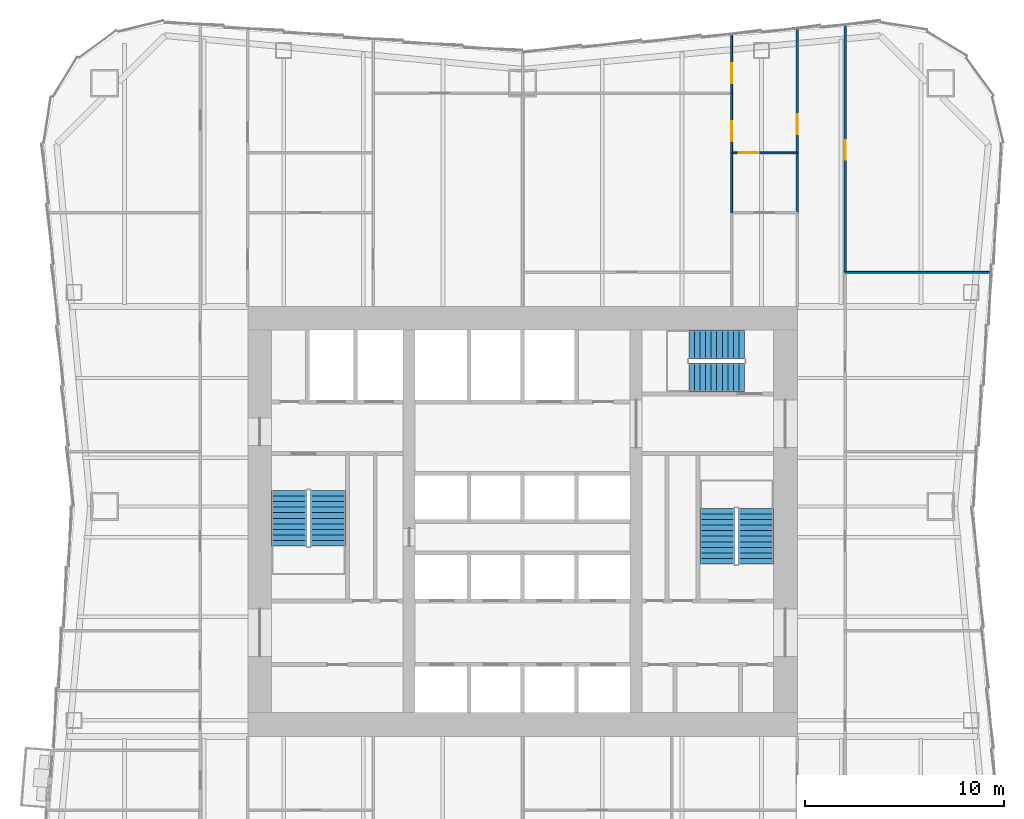
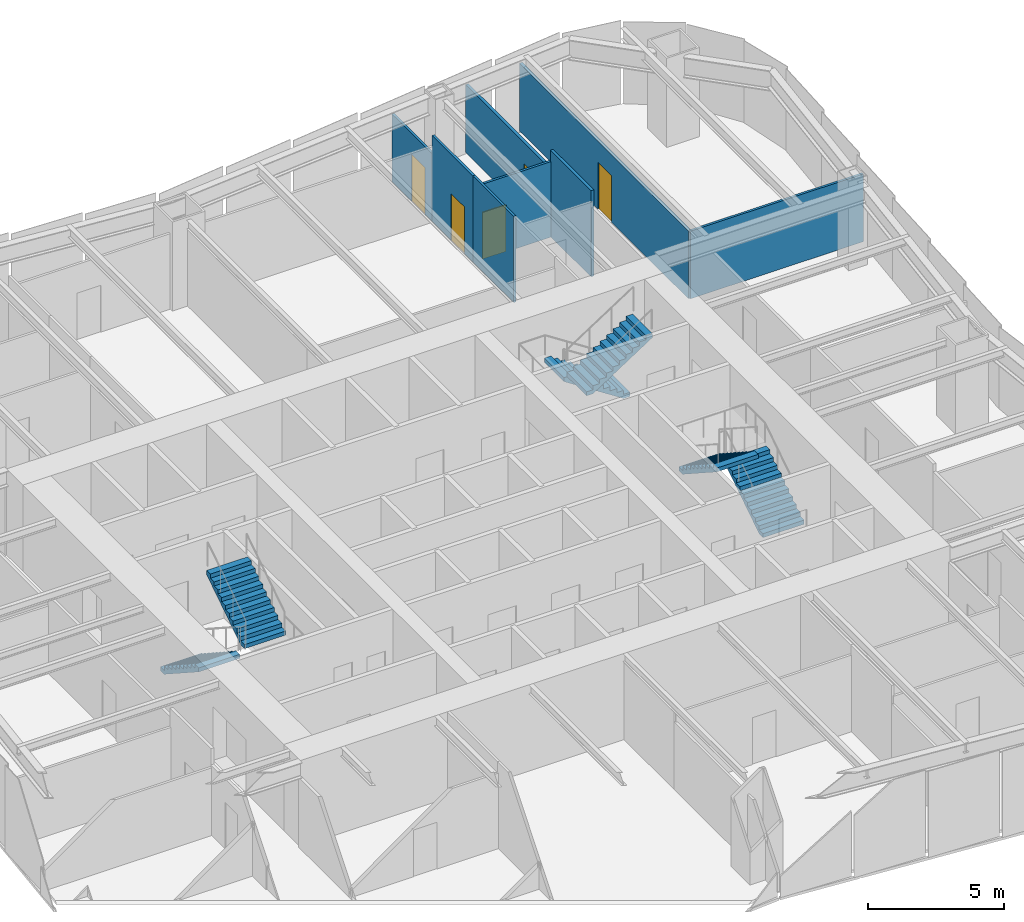
# One storey, part 7 of 9: 8 walls, 6 stair flights, 5 doors, 5 openings, 3 elements without a shape of their own.
"""IFC4 building model written with IfcOpenShell, lengths in metres."""

from ifc_helpers import new_model, si_unit, direction, frame, frame_2d, origin, place, context, subcontext, project, spatial, polyline, rectangle, outline, extrude, material, layer, layer_set, type_object, element, fill, aggregate, save


model = new_model("IFC4")

# Units and contexts
model_context = context("Model", 3, precision=1e-05, world=origin(), true_north=direction((0.0, 1.0)))
body_context = subcontext(model_context, "Body", "Model", "MODEL_VIEW")
ifc_project = project(units=[si_unit("LENGTHUNIT", "METRE"), si_unit("AREAUNIT", "SQUARE_METRE"), si_unit("VOLUMEUNIT", "CUBIC_METRE"), si_unit("PLANEANGLEUNIT", "RADIAN"), si_unit("MASSUNIT", "GRAM", prefix="KILO")], contexts=[model_context])

# Site, building, storey
site_placement = place(None, origin())
site = spatial("IfcSite", under=ifc_project, at=site_placement, CompositionType="ELEMENT")
building_placement = place(site_placement, origin())
building = spatial("IfcBuilding", under=site, at=building_placement, Name="Verdant Reach Tower", CompositionType="ELEMENT")
storey_placement = place(building_placement, frame((0.0, 0.0, 102.0)))
storey = spatial("IfcBuildingStorey", under=building, at=storey_placement, Name="L23", CompositionType="ELEMENT", Elevation=102.0)

# Wall
ifc_material_1 = material(Name="Gypsum board on steel studs", Category="steel")
ifc_layer_1 = layer(ifc_material_1, 0.10009765625)
ifc_layer_set_1 = layer_set([ifc_layer_1], Name="FL-W1 Partition 100")
wall_type_1 = type_object("IfcWallType", Name="FL-W1 Partition 100", PredefinedType="PARTITIONING", material=ifc_layer_set_1)
wall_1_placement = place(storey_placement, frame((23.5458984375, 40.5, 0.0), z_axis=(0.0, 0.0, 1.0), x_axis=(-1.0, 0.0, 0.0)))
element("IfcWall", 1, at=wall_1_placement, inside=storey, type_object=wall_type_1, Name="Partition 23.34", PredefinedType="PARTITIONING", context=body_context, shape_type="SweptSolid", body=[
    extrude(rectangle(XDim=7.345947265625, YDim=0.10009765625, at=frame_2d((3.6728515625, 0.0))), origin(), (0.0, 0.0, 1.0), 3.0400390625),
])

# Wall, opening, door
wall_2_placement = place(storey_placement, frame((13.800048828125, 46.5, 0.0), z_axis=(0.0, 0.0, 1.0), x_axis=(-1.0, 0.0, 0.0)))
wall_2 = element("IfcWall", 2, at=wall_2_placement, inside=storey, type_object=wall_type_1, Name="Partition 23.61", PredefinedType="PARTITIONING", context=body_context, shape_type="SweptSolid", body=[
    extrude(rectangle(XDim=3.300048828125, YDim=0.10009765625, at=frame_2d((1.64990234375, 0.0))), origin(), (0.0, 0.0, 1.0), 3.389892578125),
])
opening_1_placement = place(wall_2_placement, frame((1.949951171875, 0.0, 0.0)))
opening_1 = element("IfcOpeningElement", 3, at=opening_1_placement, cuts=wall_2, Name="Opening D3", PredefinedType="OPENING", context=body_context, shape_type="SweptSolid", body=[
    extrude(rectangle(XDim=1.0, YDim=2.10009765625, at=frame_2d((0.5, 1.050048828125))), frame((0.0, 0.06005859375, 0.0), z_axis=(0.0, -1.0, 0.0), x_axis=(1.0, 0.0, 0.0)), (0.0, 0.0, 1.0), 0.1201171875),
])
ifc_material_2 = material(Name="Painted timber door leaf", Category="wood")
door_type_1 = type_object("IfcDoorType", Name="FL-D3 Door 1000x2100", OperationType="NOTDEFINED", PredefinedType="DOOR", material=ifc_material_2)
door_1_placement = place(opening_1_placement, origin())
door_1 = element("IfcDoor", 4, at=door_1_placement, inside=storey, type_object=door_type_1, Name="Door 23-029", OperationType="SINGLE_SWING_RIGHT", OverallHeight=2.10009765625, OverallWidth=1.0, PredefinedType="DOOR", context=body_context, shape_type="SweptSolid", body=[
    extrude(rectangle(XDim=1.0, YDim=2.10009765625, at=frame_2d((0.5, 1.050048828125))), frame((0.0, 0.02490234375, 0.0), z_axis=(0.0, -1.0, 0.0), x_axis=(1.0, 0.0, 0.0)), (0.0, 0.0, 1.0), 0.050048828125),
])
fill(opening_1, door_1)

# Wall
wall_3_placement = place(storey_placement, frame((10.5, 46.50390625, 0.0), z_axis=(0.0, 0.0, 1.0), x_axis=(0.0, -1.0, 0.0)))
element("IfcWall", 5, at=wall_3_placement, inside=storey, type_object=wall_type_1, Name="Partition 23.62", PredefinedType="PARTITIONING", context=body_context, shape_type="SweptSolid", body=[
    extrude(rectangle(XDim=3.0078125, YDim=0.10009765625, at=frame_2d((1.50390625, 0.0))), origin(), (0.0, 0.0, 1.0), 3.8701171875),
])

# Wall, opening, door
wall_4_placement = place(storey_placement, frame((10.5, 46.49609375, 0.0), z_axis=(0.0, 0.0, 1.0), x_axis=(0.0, 1.0, 0.0)))
wall_4 = element("IfcWall", 6, at=wall_4_placement, inside=storey, type_object=wall_type_1, Name="Partition 23.63", PredefinedType="PARTITIONING", context=body_context, shape_type="SweptSolid", body=[
    extrude(rectangle(XDim=3.00390625, YDim=0.10009765625, at=frame_2d((1.501953125, 0.0))), origin(), (0.0, 0.0, 1.0), 3.8701171875),
])
opening_2_placement = place(wall_4_placement, frame((0.60205078125, 0.0, 0.0)))
opening_2 = element("IfcOpeningElement", 7, at=opening_2_placement, cuts=wall_4, Name="Opening D3", PredefinedType="OPENING", context=body_context, shape_type="SweptSolid", body=[
    extrude(rectangle(XDim=1.0, YDim=2.10009765625, at=frame_2d((0.5, 1.050048828125))), frame((0.0, 0.06005859375, 0.0), z_axis=(0.0, -1.0, 0.0), x_axis=(1.0, 0.0, 0.0)), (0.0, 0.0, 1.0), 0.1201171875),
])
door_2_placement = place(opening_2_placement, origin())
door_2 = element("IfcDoor", 8, at=door_2_placement, inside=storey, type_object=door_type_1, Name="Door 23-030", OperationType="SINGLE_SWING_LEFT", OverallHeight=2.10009765625, OverallWidth=1.0, PredefinedType="DOOR", context=body_context, shape_type="SweptSolid", body=[
    extrude(rectangle(XDim=1.0, YDim=2.10009765625, at=frame_2d((0.5, 1.050048828125))), frame((0.0, 0.02490234375, 0.0), z_axis=(0.0, -1.0, 0.0), x_axis=(1.0, 0.0, 0.0)), (0.0, 0.0, 1.0), 0.050048828125),
])
fill(opening_2, door_2)

wall_5_placement = place(storey_placement, frame((10.5, 49.5, 0.0), z_axis=(0.0, 0.0, 1.0), x_axis=(0.0, 1.0, 0.0)))
wall_5 = element("IfcWall", 9, at=wall_5_placement, inside=storey, type_object=wall_type_1, Name="Partition 23.64", PredefinedType="PARTITIONING", context=body_context, shape_type="SweptSolid", body=[
    extrude(rectangle(XDim=2.955078125, YDim=0.10009765625, at=frame_2d((1.4775390625, 0.0))), origin(), (0.0, 0.0, 1.0), 3.0400390625),
])
opening_3_placement = place(wall_5_placement, frame((0.512451171875, 0.0, 0.0)))
opening_3 = element("IfcOpeningElement", 10, at=opening_3_placement, cuts=wall_5, Name="Opening D3", PredefinedType="OPENING", context=body_context, shape_type="SweptSolid", body=[
    extrude(rectangle(XDim=1.0, YDim=2.10009765625, at=frame_2d((0.5, 1.050048828125))), frame((0.0, 0.06005859375, 0.0), z_axis=(0.0, -1.0, 0.0), x_axis=(1.0, 0.0, 0.0)), (0.0, 0.0, 1.0), 0.1201171875),
])
door_3_placement = place(opening_3_placement, origin())
door_3 = element("IfcDoor", 11, at=door_3_placement, inside=storey, type_object=door_type_1, Name="Door 23-031", OperationType="SINGLE_SWING_LEFT", OverallHeight=2.10009765625, OverallWidth=1.0, PredefinedType="DOOR", context=body_context, shape_type="SweptSolid", body=[
    extrude(rectangle(XDim=1.0, YDim=2.10009765625, at=frame_2d((0.5, 1.050048828125))), frame((0.0, 0.02490234375, 0.0), z_axis=(0.0, -1.0, 0.0), x_axis=(1.0, 0.0, 0.0)), (0.0, 0.0, 1.0), 0.050048828125),
])
fill(opening_3, door_3)

ifc_material_3 = material(Name="Gypsum board on steel studs, fire rated", Category="steel")
ifc_layer_2 = layer(ifc_material_3, 0.125)
ifc_layer_set_2 = layer_set([ifc_layer_2], Name="FL-W2 Corridor wall 125")
wall_type_2 = type_object("IfcWallType", Name="FL-W2 Corridor wall 125", PredefinedType="PARTITIONING", material=ifc_layer_set_2)
wall_6_placement = place(storey_placement, frame((16.199951171875, 52.929931640625, 0.0), z_axis=(0.0, 0.0, 1.0), x_axis=(0.0, -1.0, 0.0)))
wall_6 = element("IfcWall", 12, at=wall_6_placement, inside=storey, type_object=wall_type_2, Name="Partition 23.18", PredefinedType="PARTITIONING", context=body_context, shape_type="SweptSolid", body=[
    extrude(rectangle(XDim=12.429931640625, YDim=0.125, at=frame_2d((6.21484375, 0.0))), origin(), (0.0, 0.0, 1.0), 3.0400390625),
])
opening_4_placement = place(wall_6_placement, frame((5.780029296875, 0.0, 0.0)))
opening_4 = element("IfcOpeningElement", 13, at=opening_4_placement, cuts=wall_6, Name="Opening D2", PredefinedType="OPENING", context=body_context, shape_type="SweptSolid", body=[
    extrude(rectangle(XDim=1.0, YDim=2.10009765625, at=frame_2d((0.5, 1.050048828125))), frame((0.0, 0.072509765625, 0.0), z_axis=(0.0, -1.0, 0.0), x_axis=(1.0, 0.0, 0.0)), (0.0, 0.0, 1.0), 0.14501953125),
])
ifc_material_4 = material(Name="Timber door leaf, fire rated", Category="wood")
door_type_2 = type_object("IfcDoorType", Name="FL-D2 Entrance door 1000x2100 FD30", OperationType="NOTDEFINED", PredefinedType="DOOR", material=ifc_material_4)
door_4_placement = place(opening_4_placement, origin())
door_4 = element("IfcDoor", 14, at=door_4_placement, inside=storey, type_object=door_type_2, Name="Door 23-015", OperationType="SINGLE_SWING_RIGHT", OverallHeight=2.10009765625, OverallWidth=1.0, PredefinedType="DOOR", context=body_context, shape_type="SweptSolid", body=[
    extrude(rectangle(XDim=1.0, YDim=2.10009765625, at=frame_2d((0.5, 1.050048828125))), frame((0.0, 0.02490234375, 0.0), z_axis=(0.0, -1.0, 0.0), x_axis=(1.0, 0.0, 0.0)), (0.0, 0.0, 1.0), 0.050048828125),
])
fill(opening_4, door_4)

# Wall
wall_7_placement = place(storey_placement, frame((13.800048828125, 46.5, 0.0), z_axis=(0.0, 0.0, 1.0), x_axis=(0.0, -1.0, 0.0)))
element("IfcWall", 15, at=wall_7_placement, inside=storey, type_object=wall_type_2, Name="Partition 23.23", PredefinedType="PARTITIONING", context=body_context, shape_type="SweptSolid", body=[
    extrude(rectangle(XDim=3.0, YDim=0.125, at=frame_2d((1.5, 0.0))), origin(), (0.0, 0.0, 1.0), 3.8701171875),
])

# Wall, opening, door
wall_8_placement = place(storey_placement, frame((13.800048828125, 46.5, 0.0), z_axis=(0.0, 0.0, 1.0), x_axis=(0.0, 1.0, 0.0)))
wall_8 = element("IfcWall", 16, at=wall_8_placement, inside=storey, type_object=wall_type_2, Name="Partition 23.24", PredefinedType="PARTITIONING", context=body_context, shape_type="SweptSolid", body=[
    extrude(rectangle(XDim=6.22998046875, YDim=0.125, at=frame_2d((3.114990234375, 0.0))), origin(), (0.0, 0.0, 1.0), 3.0400390625),
])
opening_5_placement = place(wall_8_placement, frame((0.949951171875, 0.0, 0.0)))
opening_5 = element("IfcOpeningElement", 17, at=opening_5_placement, cuts=wall_8, Name="Opening D2", PredefinedType="OPENING", context=body_context, shape_type="SweptSolid", body=[
    extrude(rectangle(XDim=1.0, YDim=2.10009765625, at=frame_2d((0.5, 1.050048828125))), frame((0.0, 0.072509765625, 0.0), z_axis=(0.0, -1.0, 0.0), x_axis=(1.0, 0.0, 0.0)), (0.0, 0.0, 1.0), 0.14501953125),
])
door_5_placement = place(opening_5_placement, origin())
door_5 = element("IfcDoor", 18, at=door_5_placement, inside=storey, type_object=door_type_2, Name="Door 23-018", OperationType="SINGLE_SWING_LEFT", OverallHeight=2.10009765625, OverallWidth=1.0, PredefinedType="DOOR", context=body_context, shape_type="SweptSolid", body=[
    extrude(rectangle(XDim=1.0, YDim=2.10009765625, at=frame_2d((0.5, 1.050048828125))), frame((0.0, 0.02490234375, 0.0), z_axis=(0.0, -1.0, 0.0), x_axis=(1.0, 0.0, 0.0)), (0.0, 0.0, 1.0), 0.050048828125),
])
fill(opening_5, door_5)

# Stair, stair flights
ifc_material_5 = material(Name="Concrete C40/50", Category="concrete")
stair_type = type_object("IfcStairType", Name="CO-STAIR", PredefinedType="HALF_TURN_STAIR", material=ifc_material_5)
stair_1_placement = place(storey_placement, origin())
stair_1 = element("IfcStair", 19, at=stair_1_placement, inside=storey, type_object=stair_type, Name="L23 Exit stair 1", PredefinedType="HALF_TURN_STAIR")
stair_flight_type = type_object("IfcStairFlightType", Name="CO-STAIR-FLIGHT", PredefinedType="STRAIGHT", material=ifc_material_5)
stair_flight_1_placement = place(storey_placement, frame((-11.72509765625, 29.550048828125, 0.0), z_axis=(0.0, 0.0, 1.0), x_axis=(0.0, -1.0, 0.0)))
stair_flight_1 = element("IfcStairFlight", 20, at=stair_flight_1_placement, type_object=stair_flight_type, Name="ST-1 flight 1", NumberOfRisers=11, NumberOfTreads=10, PredefinedType="STRAIGHT", RiserHeight=0.181818182, TreadLength=0.28, context=body_context, shape_type="SweptSolid", body=[
    extrude(outline(polyline([(0.0, 0.0), (0.0, 0.181884765625), (0.280029296875, 0.181884765625), (0.280029296875, 0.363525390625), (0.56005859375, 0.363525390625), (0.56005859375, 0.54541015625), (0.840087890625, 0.54541015625), (0.840087890625, 0.727294921875), (1.1201171875, 0.727294921875), (1.1201171875, 0.9091796875), (1.39990234375, 0.9091796875), (1.39990234375, 1.0908203125), (1.679931640625, 1.0908203125), (1.679931640625, 1.272705078125), (1.9599609375, 1.272705078125), (1.9599609375, 1.45458984375), (2.239990234375, 1.45458984375), (2.239990234375, 1.636474609375), (2.52001953125, 1.636474609375), (2.52001953125, 1.818115234375), (2.800048828125, 1.818115234375), (2.800048828125, 2.0), (2.800048828125, 1.639404296875), (0.275146484375, 0.0), (0.0, 0.0)])), frame((0.0, 0.875, 0.0), z_axis=(0.0, -1.0, 0.0), x_axis=(1.0, 0.0, 0.0)), (0.0, 0.0, 1.0), 1.75),
])
stair_flight_2_placement = place(storey_placement, frame((-9.77490234375, 26.75, 2.0), z_axis=(0.0, 0.0, 1.0), x_axis=(0.0, 1.0, 0.0)))
stair_flight_2 = element("IfcStairFlight", 21, at=stair_flight_2_placement, type_object=stair_flight_type, Name="ST-1 flight 2", NumberOfRisers=11, NumberOfTreads=10, PredefinedType="STRAIGHT", RiserHeight=0.181818182, TreadLength=0.28, context=body_context, shape_type="SweptSolid", body=[
    extrude(outline(polyline([(0.0, 0.0), (0.0, 0.181884765625), (0.280029296875, 0.181884765625), (0.280029296875, 0.363525390625), (0.56005859375, 0.363525390625), (0.56005859375, 0.54541015625), (0.840087890625, 0.54541015625), (0.840087890625, 0.727294921875), (1.1201171875, 0.727294921875), (1.1201171875, 0.9091796875), (1.39990234375, 0.9091796875), (1.39990234375, 1.0908203125), (1.679931640625, 1.0908203125), (1.679931640625, 1.272705078125), (1.9599609375, 1.272705078125), (1.9599609375, 1.45458984375), (2.239990234375, 1.45458984375), (2.239990234375, 1.636474609375), (2.52001953125, 1.636474609375), (2.52001953125, 1.818115234375), (2.800048828125, 1.818115234375), (2.800048828125, 2.0), (2.800048828125, 1.639404296875), (0.275146484375, 0.0), (0.0, 0.0)])), frame((0.0, 0.875, 0.0), z_axis=(0.0, -1.0, 0.0), x_axis=(1.0, 0.0, 0.0)), (0.0, 0.0, 1.0), 1.75),
])
aggregate(stair_1, [stair_flight_1, stair_flight_2])

stair_2_placement = place(storey_placement, origin())
stair_2 = element("IfcStair", 22, at=stair_2_placement, inside=storey, type_object=stair_type, Name="L23 Exit stair 2", PredefinedType="HALF_TURN_STAIR")
stair_flight_3_placement = place(storey_placement, frame((11.72509765625, 25.85009765625, 0.0), z_axis=(0.0, 0.0, 1.0), x_axis=(0.0, 1.0, 0.0)))
stair_flight_3 = element("IfcStairFlight", 23, at=stair_flight_3_placement, type_object=stair_flight_type, Name="ST-2 flight 1", NumberOfRisers=11, NumberOfTreads=10, PredefinedType="STRAIGHT", RiserHeight=0.181818182, TreadLength=0.28, context=body_context, shape_type="SweptSolid", body=[
    extrude(outline(polyline([(0.0, 0.0), (0.0, 0.181884765625), (0.280029296875, 0.181884765625), (0.280029296875, 0.363525390625), (0.56005859375, 0.363525390625), (0.56005859375, 0.54541015625), (0.840087890625, 0.54541015625), (0.840087890625, 0.727294921875), (1.1201171875, 0.727294921875), (1.1201171875, 0.9091796875), (1.39990234375, 0.9091796875), (1.39990234375, 1.0908203125), (1.679931640625, 1.0908203125), (1.679931640625, 1.272705078125), (1.9599609375, 1.272705078125), (1.9599609375, 1.45458984375), (2.239990234375, 1.45458984375), (2.239990234375, 1.636474609375), (2.52001953125, 1.636474609375), (2.52001953125, 1.818115234375), (2.800048828125, 1.818115234375), (2.800048828125, 2.0), (2.800048828125, 1.639404296875), (0.275146484375, 0.0), (0.0, 0.0)])), frame((0.0, 0.875, 0.0), z_axis=(0.0, -1.0, 0.0), x_axis=(1.0, 0.0, 0.0)), (0.0, 0.0, 1.0), 1.75),
])
stair_flight_4_placement = place(storey_placement, frame((9.77490234375, 28.64990234375, 2.0), z_axis=(0.0, 0.0, 1.0), x_axis=(0.0, -1.0, 0.0)))
stair_flight_4 = element("IfcStairFlight", 24, at=stair_flight_4_placement, type_object=stair_flight_type, Name="ST-2 flight 2", NumberOfRisers=11, NumberOfTreads=10, PredefinedType="STRAIGHT", RiserHeight=0.181818182, TreadLength=0.28, context=body_context, shape_type="SweptSolid", body=[
    extrude(outline(polyline([(0.0, 0.0), (0.0, 0.181884765625), (0.280029296875, 0.181884765625), (0.280029296875, 0.363525390625), (0.56005859375, 0.363525390625), (0.56005859375, 0.54541015625), (0.840087890625, 0.54541015625), (0.840087890625, 0.727294921875), (1.1201171875, 0.727294921875), (1.1201171875, 0.9091796875), (1.39990234375, 0.9091796875), (1.39990234375, 1.0908203125), (1.679931640625, 1.0908203125), (1.679931640625, 1.272705078125), (1.9599609375, 1.272705078125), (1.9599609375, 1.45458984375), (2.239990234375, 1.45458984375), (2.239990234375, 1.636474609375), (2.52001953125, 1.636474609375), (2.52001953125, 1.818115234375), (2.800048828125, 1.818115234375), (2.800048828125, 2.0), (2.800048828125, 1.639404296875), (0.275146484375, 0.0), (0.0, 0.0)])), frame((0.0, 0.875, 0.0), z_axis=(0.0, -1.0, 0.0), x_axis=(1.0, 0.0, 0.0)), (0.0, 0.0, 1.0), 1.75),
])
aggregate(stair_2, [stair_flight_3, stair_flight_4])

stair_3_placement = place(storey_placement, origin())
stair_3 = element("IfcStair", 25, at=stair_3_placement, inside=storey, type_object=stair_type, Name="L23 Exit stair 3", PredefinedType="HALF_TURN_STAIR")
stair_flight_5_placement = place(storey_placement, frame((11.14990234375, 36.875, 0.0), z_axis=(0.0, 0.0, 1.0), x_axis=(-1.0, 0.0, 0.0)))
stair_flight_5 = element("IfcStairFlight", 26, at=stair_flight_5_placement, type_object=stair_flight_type, Name="ST-3 flight 1", NumberOfRisers=11, NumberOfTreads=10, PredefinedType="STRAIGHT", RiserHeight=0.181818182, TreadLength=0.28, context=body_context, shape_type="SweptSolid", body=[
    extrude(outline(polyline([(0.0, 0.0), (0.0, 0.181884765625), (0.280029296875, 0.181884765625), (0.280029296875, 0.363525390625), (0.56005859375, 0.363525390625), (0.56005859375, 0.54541015625), (0.840087890625, 0.54541015625), (0.840087890625, 0.727294921875), (1.1201171875, 0.727294921875), (1.1201171875, 0.9091796875), (1.39990234375, 0.9091796875), (1.39990234375, 1.0908203125), (1.679931640625, 1.0908203125), (1.679931640625, 1.272705078125), (1.9599609375, 1.272705078125), (1.9599609375, 1.45458984375), (2.239990234375, 1.45458984375), (2.239990234375, 1.636474609375), (2.52001953125, 1.636474609375), (2.52001953125, 1.818115234375), (2.800048828125, 1.818115234375), (2.800048828125, 2.0), (2.800048828125, 1.639404296875), (0.275146484375, 0.0), (0.0, 0.0)])), frame((0.0, 0.72509765625, 0.0), z_axis=(0.0, -1.0, 0.0), x_axis=(1.0, 0.0, 0.0)), (0.0, 0.0, 1.0), 1.449951171875),
])
stair_flight_6_placement = place(storey_placement, frame((8.35009765625, 35.22509765625, 2.0), z_axis=(0.0, 0.0, 1.0), x_axis=(1.0, 0.0, 0.0)))
stair_flight_6 = element("IfcStairFlight", 27, at=stair_flight_6_placement, type_object=stair_flight_type, Name="ST-3 flight 2", NumberOfRisers=11, NumberOfTreads=10, PredefinedType="STRAIGHT", RiserHeight=0.181818182, TreadLength=0.28, context=body_context, shape_type="SweptSolid", body=[
    extrude(outline(polyline([(0.0, 0.0), (0.0, 0.181884765625), (0.280029296875, 0.181884765625), (0.280029296875, 0.363525390625), (0.56005859375, 0.363525390625), (0.56005859375, 0.54541015625), (0.840087890625, 0.54541015625), (0.840087890625, 0.727294921875), (1.1201171875, 0.727294921875), (1.1201171875, 0.9091796875), (1.39990234375, 0.9091796875), (1.39990234375, 1.0908203125), (1.679931640625, 1.0908203125), (1.679931640625, 1.272705078125), (1.9599609375, 1.272705078125), (1.9599609375, 1.45458984375), (2.239990234375, 1.45458984375), (2.239990234375, 1.636474609375), (2.52001953125, 1.636474609375), (2.52001953125, 1.818115234375), (2.800048828125, 1.818115234375), (2.800048828125, 2.0), (2.800048828125, 1.639404296875), (0.275146484375, 0.0), (0.0, 0.0)])), frame((0.0, 0.72509765625, 0.0), z_axis=(0.0, -1.0, 0.0), x_axis=(1.0, 0.0, 0.0)), (0.0, 0.0, 1.0), 1.449951171875),
])
aggregate(stair_3, [stair_flight_5, stair_flight_6])

save(model, "model.ifc")
